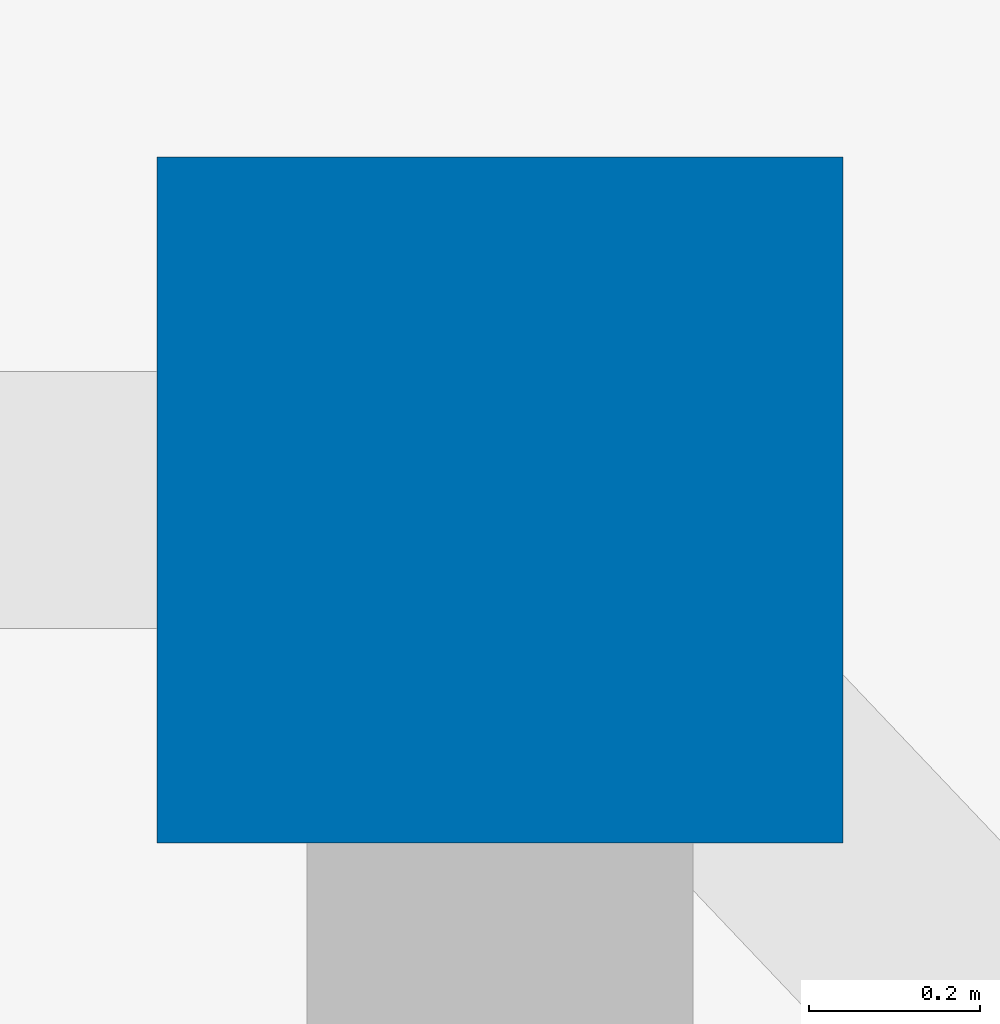
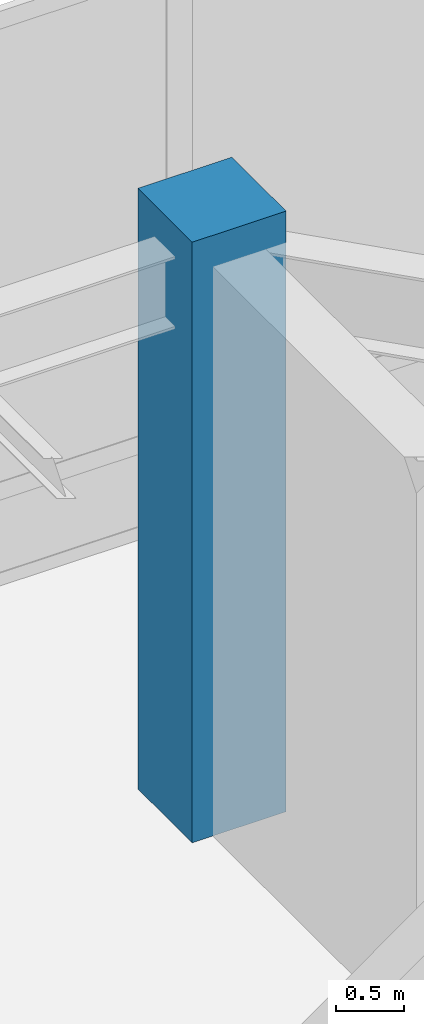
# One storey, part 4 of 30: 1 column.
"""IFC4 building model written with IfcOpenShell, lengths in metres."""

from ifc_helpers import new_model, si_unit, direction, frame, origin, origin_2d, place, context, subcontext, project, spatial, rectangle, extrude, source, transform, mapped, material, material_profile, profile_set, type_object, type_shapes, element, save


model = new_model("IFC4")

# Units and contexts
model_context = context("Model", 3, precision=1e-05, world=origin(), true_north=direction((0.0, 1.0)))
body_context = subcontext(model_context, "Body", "Model", "MODEL_VIEW")
ifc_project = project(units=[si_unit("LENGTHUNIT", "METRE"), si_unit("AREAUNIT", "SQUARE_METRE"), si_unit("VOLUMEUNIT", "CUBIC_METRE"), si_unit("PLANEANGLEUNIT", "RADIAN"), si_unit("MASSUNIT", "GRAM", prefix="KILO")], contexts=[model_context])

# Site, building, storey
site_placement = place(None, origin())
site = spatial("IfcSite", under=ifc_project, at=site_placement, CompositionType="ELEMENT")
building_placement = place(site_placement, origin())
building = spatial("IfcBuilding", under=site, at=building_placement, Name="Haelvirn Gate Laboratories", CompositionType="ELEMENT")
storey_placement = place(building_placement, frame((0.0, 0.0, 332.39990234375)))
storey = spatial("IfcBuildingStorey", under=building, at=storey_placement, Name="L79", CompositionType="ELEMENT", Elevation=332.39990234375)

# Column
ifc_material = material(Name="Concrete C50/60", Category="concrete")
ifc_material_profile = material_profile(ifc_material, rectangle(XDim=0.800048828125, YDim=0.800048828125, at=origin_2d()), Name="RC-800x800")
ifc_profile_set = profile_set([ifc_material_profile], Name="Concrete C50/60")
column_type = type_object("IfcColumnType", Name="COL-RC-800", PredefinedType="COLUMN", material=ifc_profile_set)
shared_shape = source(origin(), body_context, "Body", "SweptSolid", [
    extrude(rectangle(XDim=0.800048828125, YDim=0.800048828125, at=origin_2d()), origin(), (0.0, 0.0, 1.0), 5.400146484375),
])
type_shapes(column_type, [shared_shape])
column_placement = place(storey_placement, frame((60.0, 41.60009765625, 0.0), z_axis=(0.0, 0.0, 1.0), x_axis=(1.0, 0.0, 0.0)))
element("IfcColumn", 1, at=column_placement, inside=storey, type_object=column_type, Name="L79 Column 9G", PredefinedType="COLUMN", context=body_context, shape_type="MappedRepresentation", body=[
    mapped(shared_shape, transform((0.0, 0.0, 0.0), scale=1.0)),
])

save(model, "model.ifc")
